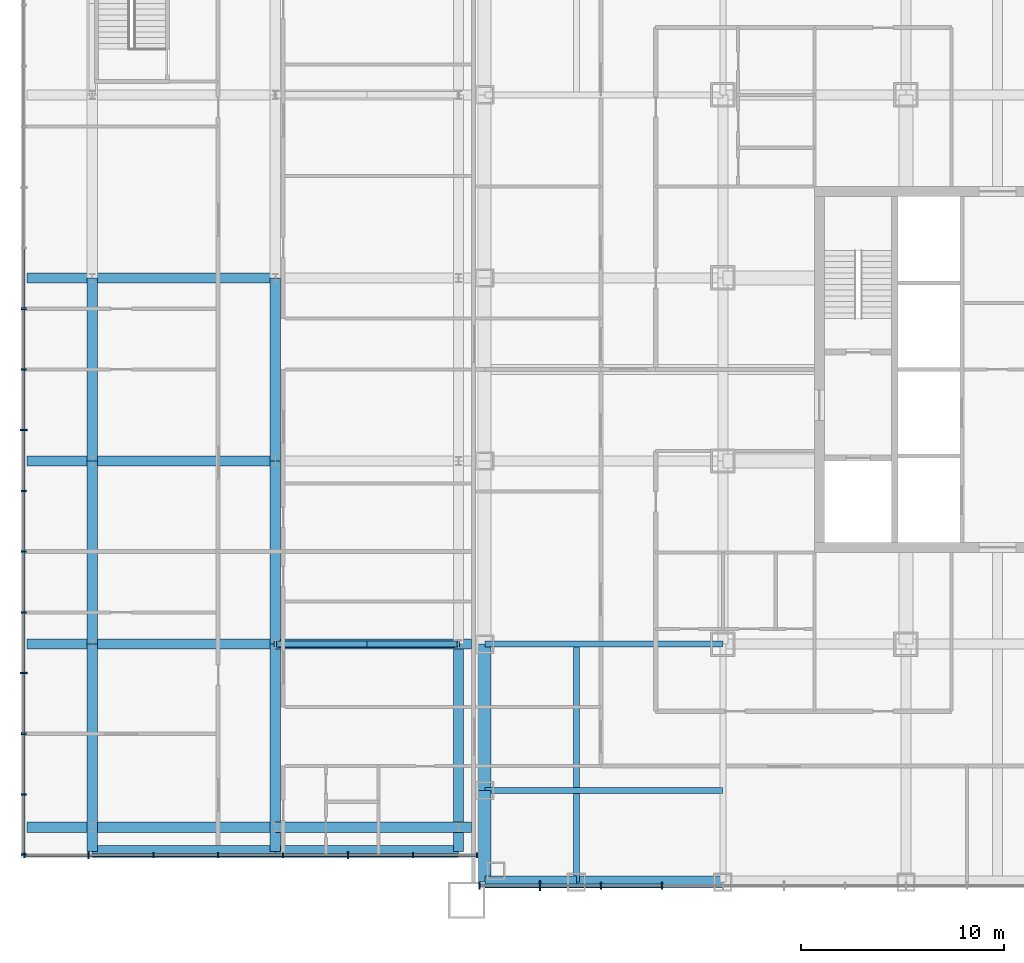
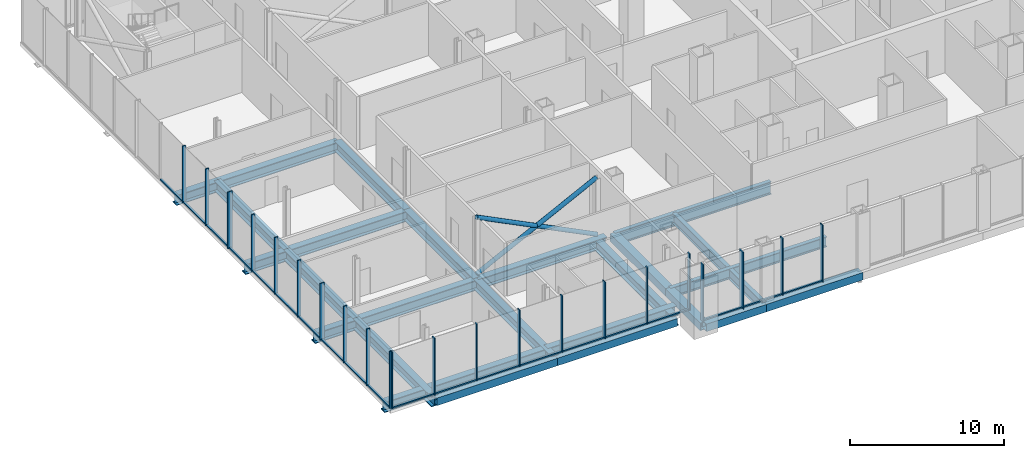
# One storey, part 5 of 25: 44 members, 22 beams, 3 elements without a shape of their own.
"""IFC4 building model written with IfcOpenShell, lengths in metres."""

from ifc_helpers import new_model, si_unit, direction, frame, origin, origin_2d, place, context, subcontext, project, spatial, rectangle, hollow_rectangle, hollow_circle, i_section, extrude, material, layer, layer_set, material_profile, profile_set, type_object, element, aggregate, save


model = new_model("IFC4")

# Units and contexts
model_context = context("Model", 3, precision=1e-05, world=origin(), true_north=direction((0.0, 1.0)))
body_context = subcontext(model_context, "Body", "Model", "MODEL_VIEW")
ifc_project = project(units=[si_unit("LENGTHUNIT", "METRE"), si_unit("AREAUNIT", "SQUARE_METRE"), si_unit("VOLUMEUNIT", "CUBIC_METRE"), si_unit("PLANEANGLEUNIT", "RADIAN"), si_unit("MASSUNIT", "GRAM", prefix="KILO")], contexts=[model_context])

# Site, building, storey
site_placement = place(None, origin())
site = spatial("IfcSite", under=ifc_project, at=site_placement, CompositionType="ELEMENT")
building_placement = place(site_placement, origin())
building = spatial("IfcBuilding", under=site, at=building_placement, Name="Malebo Sky Hospital", CompositionType="ELEMENT")
storey_placement = place(building_placement, frame((0.0, 0.0, 16.5)))
storey = spatial("IfcBuildingStorey", under=building, at=storey_placement, Name="L03", CompositionType="ELEMENT", Elevation=16.5)

# Curtain wall, members
ifc_material_1 = material(Name="Anodised aluminium, natural silver", Category="aluminium")
ifc_layer_1 = layer(ifc_material_1, 0.25)
ifc_layer_set_1 = layer_set([ifc_layer_1], Name="PODIUM CURTAIN WALL")
curtain_wall_type_1 = type_object("IfcCurtainWallType", Name="PODIUM CURTAIN WALL", PredefinedType="NOTDEFINED", material=ifc_layer_set_1)
curtain_wall_1_placement = place(storey_placement, origin())
curtain_wall_1 = element("IfcCurtainWall", 1, at=curtain_wall_1_placement, inside=storey, type_object=curtain_wall_type_1, Name="POD curtain wall WW", PredefinedType="NOTDEFINED")
ifc_material_profile_1 = material_profile(ifc_material_1, rectangle(XDim=0.14990234375, YDim=0.10009765625, at=origin_2d()), Name="ALUMINIUM TRANSOM 150x100")
ifc_profile_set_1 = profile_set([ifc_material_profile_1], Name="Anodised aluminium, natural silver")
member_type_1 = type_object("IfcMemberType", Name="ALUMINIUM TRANSOM 150x100", PredefinedType="USERDEFINED", material=ifc_profile_set_1)
member_1_placement = place(storey_placement, frame((12.125, 67.931396484375, 0.050048828125), z_axis=(0.0, -1.0, 0.0), x_axis=(1.0, 0.0, 0.0)))
member_1 = element("IfcMember", 2, at=member_1_placement, type_object=member_type_1, Name="Transom 7", ObjectType="TRANSOM", PredefinedType="USERDEFINED", context=body_context, shape_type="SweptSolid", body=[
    extrude(rectangle(XDim=0.14990234375, YDim=0.10009765625, at=origin_2d()), origin(), (0.0, 0.0, 1.0), 2.909423828125),
])
member_2_placement = place(storey_placement, frame((12.125, 64.947021484375, 0.050048828125), z_axis=(0.0, -1.0, 0.0), x_axis=(1.0, 0.0, 0.0)))
member_2 = element("IfcMember", 3, at=member_2_placement, type_object=member_type_1, Name="Transom 8", ObjectType="TRANSOM", PredefinedType="USERDEFINED", context=body_context, shape_type="SweptSolid", body=[
    extrude(rectangle(XDim=0.14990234375, YDim=0.10009765625, at=origin_2d()), origin(), (0.0, 0.0, 1.0), 2.909423828125),
])
member_3_placement = place(storey_placement, frame((12.125, 61.96240234375, 0.050048828125), z_axis=(0.0, -1.0, 0.0), x_axis=(1.0, 0.0, 0.0)))
member_3 = element("IfcMember", 4, at=member_3_placement, type_object=member_type_1, Name="Transom 9", ObjectType="TRANSOM", PredefinedType="USERDEFINED", context=body_context, shape_type="SweptSolid", body=[
    extrude(rectangle(XDim=0.14990234375, YDim=0.10009765625, at=origin_2d()), origin(), (0.0, 0.0, 1.0), 2.909423828125),
])
member_4_placement = place(storey_placement, frame((12.125, 58.97802734375, 0.050048828125), z_axis=(0.0, -1.0, 0.0), x_axis=(1.0, 0.0, 0.0)))
member_4 = element("IfcMember", 5, at=member_4_placement, type_object=member_type_1, Name="Transom 10", ObjectType="TRANSOM", PredefinedType="USERDEFINED", context=body_context, shape_type="SweptSolid", body=[
    extrude(rectangle(XDim=0.14990234375, YDim=0.10009765625, at=origin_2d()), origin(), (0.0, 0.0, 1.0), 2.909423828125),
])
member_5_placement = place(storey_placement, frame((12.125, 55.99365234375, 0.050048828125), z_axis=(0.0, -1.0, 0.0), x_axis=(1.0, 0.0, 0.0)))
member_5 = element("IfcMember", 6, at=member_5_placement, type_object=member_type_1, Name="Transom 11", ObjectType="TRANSOM", PredefinedType="USERDEFINED", context=body_context, shape_type="SweptSolid", body=[
    extrude(rectangle(XDim=0.14990234375, YDim=0.10009765625, at=origin_2d()), origin(), (0.0, 0.0, 1.0), 2.9091796875),
])
member_6_placement = place(storey_placement, frame((12.125, 53.009521484375, 0.050048828125), z_axis=(0.0, -1.0, 0.0), x_axis=(1.0, 0.0, 0.0)))
member_6 = element("IfcMember", 7, at=member_6_placement, type_object=member_type_1, Name="Transom 12", ObjectType="TRANSOM", PredefinedType="USERDEFINED", context=body_context, shape_type="SweptSolid", body=[
    extrude(rectangle(XDim=0.14990234375, YDim=0.10009765625, at=origin_2d()), origin(), (0.0, 0.0, 1.0), 2.909423828125),
])
member_7_placement = place(storey_placement, frame((12.125, 50.02490234375, 0.050048828125), z_axis=(0.0, -1.0, 0.0), x_axis=(1.0, 0.0, 0.0)))
member_7 = element("IfcMember", 8, at=member_7_placement, type_object=member_type_1, Name="Transom 13", ObjectType="TRANSOM", PredefinedType="USERDEFINED", context=body_context, shape_type="SweptSolid", body=[
    extrude(rectangle(XDim=0.14990234375, YDim=0.10009765625, at=origin_2d()), origin(), (0.0, 0.0, 1.0), 2.909423828125),
])
member_8_placement = place(storey_placement, frame((12.125, 47.04052734375, 0.050048828125), z_axis=(0.0, -1.0, 0.0), x_axis=(1.0, 0.0, 0.0)))
member_8 = element("IfcMember", 9, at=member_8_placement, type_object=member_type_1, Name="Transom 14", ObjectType="TRANSOM", PredefinedType="USERDEFINED", context=body_context, shape_type="SweptSolid", body=[
    extrude(rectangle(XDim=0.14990234375, YDim=0.10009765625, at=origin_2d()), origin(), (0.0, 0.0, 1.0), 2.9091796875),
])
member_9_placement = place(storey_placement, frame((12.125, 44.056396484375, 0.050048828125), z_axis=(0.0, -1.0, 0.0), x_axis=(1.0, 0.0, 0.0)))
member_9 = element("IfcMember", 10, at=member_9_placement, type_object=member_type_1, Name="Transom 15", ObjectType="TRANSOM", PredefinedType="USERDEFINED", context=body_context, shape_type="SweptSolid", body=[
    extrude(rectangle(XDim=0.14990234375, YDim=0.10009765625, at=origin_2d()), origin(), (0.0, 0.0, 1.0), 2.909423828125),
])
member_10_placement = place(storey_placement, frame((12.125, 41.072021484375, 0.050048828125), z_axis=(0.0, -1.0, 0.0), x_axis=(1.0, 0.0, 0.0)))
member_10 = element("IfcMember", 11, at=member_10_placement, type_object=member_type_1, Name="Transom 16", ObjectType="TRANSOM", PredefinedType="USERDEFINED", context=body_context, shape_type="SweptSolid", body=[
    extrude(rectangle(XDim=0.14990234375, YDim=0.10009765625, at=origin_2d()), origin(), (0.0, 0.0, 1.0), 2.8720703125),
])

curtain_wall_2_placement = place(storey_placement, origin())
curtain_wall_2 = element("IfcCurtainWall", 12, at=curtain_wall_2_placement, inside=storey, type_object=curtain_wall_type_1, Name="POD curtain wall WS", PredefinedType="NOTDEFINED")
member_11_placement = place(storey_placement, frame((12.199951171875, 38.125, 0.050048828125), z_axis=(1.0, 0.0, 0.0), x_axis=(0.0, 1.0, 0.0)))
member_11 = element("IfcMember", 13, at=member_11_placement, type_object=member_type_1, Name="Transom 1", ObjectType="TRANSOM", PredefinedType="USERDEFINED", context=body_context, shape_type="SweptSolid", body=[
    extrude(rectangle(XDim=0.14990234375, YDim=0.10009765625, at=origin_2d()), origin(), (0.0, 0.0, 1.0), 3.076904296875),
])
member_12_placement = place(storey_placement, frame((15.351806640625, 38.125, 0.050048828125), z_axis=(1.0, 0.0, 0.0), x_axis=(0.0, 1.0, 0.0)))
member_12 = element("IfcMember", 14, at=member_12_placement, type_object=member_type_1, Name="Transom 2", ObjectType="TRANSOM", PredefinedType="USERDEFINED", context=body_context, shape_type="SweptSolid", body=[
    extrude(rectangle(XDim=0.14990234375, YDim=0.10009765625, at=origin_2d()), origin(), (0.0, 0.0, 1.0), 3.1142578125),
])
member_13_placement = place(storey_placement, frame((18.541015625, 38.125, 0.050048828125), z_axis=(1.0, 0.0, 0.0), x_axis=(0.0, 1.0, 0.0)))
member_13 = element("IfcMember", 15, at=member_13_placement, type_object=member_type_1, Name="Transom 3", ObjectType="TRANSOM", PredefinedType="USERDEFINED", context=body_context, shape_type="SweptSolid", body=[
    extrude(rectangle(XDim=0.14990234375, YDim=0.10009765625, at=origin_2d()), origin(), (0.0, 0.0, 1.0), 3.114501953125),
])
member_14_placement = place(storey_placement, frame((21.73046875, 38.125, 0.050048828125), z_axis=(1.0, 0.0, 0.0), x_axis=(0.0, 1.0, 0.0)))
member_14 = element("IfcMember", 16, at=member_14_placement, type_object=member_type_1, Name="Transom 4", ObjectType="TRANSOM", PredefinedType="USERDEFINED", context=body_context, shape_type="SweptSolid", body=[
    extrude(rectangle(XDim=0.14990234375, YDim=0.10009765625, at=origin_2d()), origin(), (0.0, 0.0, 1.0), 3.114013671875),
])
member_15_placement = place(storey_placement, frame((24.919677734375, 38.125, 0.050048828125), z_axis=(1.0, 0.0, 0.0), x_axis=(0.0, 1.0, 0.0)))
member_15 = element("IfcMember", 17, at=member_15_placement, type_object=member_type_1, Name="Transom 5", ObjectType="TRANSOM", PredefinedType="USERDEFINED", context=body_context, shape_type="SweptSolid", body=[
    extrude(rectangle(XDim=0.14990234375, YDim=0.10009765625, at=origin_2d()), origin(), (0.0, 0.0, 1.0), 3.1142578125),
])
member_16_placement = place(storey_placement, frame((28.10888671875, 38.125, 0.050048828125), z_axis=(1.0, 0.0, 0.0), x_axis=(0.0, 1.0, 0.0)))
member_16 = element("IfcMember", 18, at=member_16_placement, type_object=member_type_1, Name="Transom 6", ObjectType="TRANSOM", PredefinedType="USERDEFINED", context=body_context, shape_type="SweptSolid", body=[
    extrude(rectangle(XDim=0.14990234375, YDim=0.10009765625, at=origin_2d()), origin(), (0.0, 0.0, 1.0), 3.1142578125),
])
member_17_placement = place(storey_placement, frame((31.298095703125, 38.125, 0.050048828125), z_axis=(1.0, 0.0, 0.0), x_axis=(0.0, 1.0, 0.0)))
member_17 = element("IfcMember", 19, at=member_17_placement, type_object=member_type_1, Name="Transom 7", ObjectType="TRANSOM", PredefinedType="USERDEFINED", context=body_context, shape_type="SweptSolid", body=[
    extrude(rectangle(XDim=0.14990234375, YDim=0.10009765625, at=origin_2d()), origin(), (0.0, 0.0, 1.0), 3.076904296875),
])

ifc_layer_2 = layer(ifc_material_1, 0.25)
ifc_layer_set_2 = layer_set([ifc_layer_2], Name="PODIUM ENTRANCE BAY CURTAIN WALL")
curtain_wall_type_2 = type_object("IfcCurtainWallType", Name="PODIUM ENTRANCE BAY CURTAIN WALL", PredefinedType="NOTDEFINED", material=ifc_layer_set_2)
curtain_wall_3_placement = place(storey_placement, origin())
curtain_wall_3 = element("IfcCurtainWall", 20, at=curtain_wall_3_placement, inside=storey, type_object=curtain_wall_type_2, Name="BAY curtain wall BS", PredefinedType="NOTDEFINED")
member_18_placement = place(storey_placement, frame((34.574951171875, 36.625, 0.050048828125), z_axis=(1.0, 0.0, 0.0), x_axis=(0.0, 1.0, 0.0)))
member_18 = element("IfcMember", 21, at=member_18_placement, type_object=member_type_1, Name="Transom 1", ObjectType="TRANSOM", PredefinedType="USERDEFINED", context=body_context, shape_type="SweptSolid", body=[
    extrude(rectangle(XDim=0.14990234375, YDim=0.10009765625, at=origin_2d()), origin(), (0.0, 0.0, 1.0), 2.887451171875),
])
member_19_placement = place(storey_placement, frame((37.53759765625, 36.625, 0.050048828125), z_axis=(1.0, 0.0, 0.0), x_axis=(0.0, 1.0, 0.0)))
member_19 = element("IfcMember", 22, at=member_19_placement, type_object=member_type_1, Name="Transom 2", ObjectType="TRANSOM", PredefinedType="USERDEFINED", context=body_context, shape_type="SweptSolid", body=[
    extrude(rectangle(XDim=0.14990234375, YDim=0.10009765625, at=origin_2d()), origin(), (0.0, 0.0, 1.0), 2.9248046875),
])
member_20_placement = place(storey_placement, frame((40.53759765625, 36.625, 0.050048828125), z_axis=(1.0, 0.0, 0.0), x_axis=(0.0, 1.0, 0.0)))
member_20 = element("IfcMember", 23, at=member_20_placement, type_object=member_type_1, Name="Transom 3", ObjectType="TRANSOM", PredefinedType="USERDEFINED", context=body_context, shape_type="SweptSolid", body=[
    extrude(rectangle(XDim=0.14990234375, YDim=0.10009765625, at=origin_2d()), origin(), (0.0, 0.0, 1.0), 2.9248046875),
])

# Member
ifc_material_profile_2 = material_profile(ifc_material_1, rectangle(XDim=0.074951171875, YDim=0.25, at=origin_2d()), Name="CW3 ALUMINIUM FIN MULLION 75x250")
ifc_profile_set_2 = profile_set([ifc_material_profile_2], Name="Anodised aluminium, natural silver")
member_type_2 = type_object("IfcMemberType", Name="CW3 ALUMINIUM FIN MULLION 75x250", PredefinedType="MULLION", material=ifc_profile_set_2)
member_21_placement = place(storey_placement, frame((12.125, 64.984375, 0.0), z_axis=(0.0, 0.0, 1.0), x_axis=(0.0, -1.0, 0.0)))
member_21 = element("IfcMember", 24, at=member_21_placement, type_object=member_type_2, Name="Fin mullion 8", PredefinedType="MULLION", context=body_context, shape_type="SweptSolid", body=[
    extrude(rectangle(XDim=0.074951171875, YDim=0.25, at=origin_2d()), origin(), (0.0, 0.0, 1.0), 4.5),
])

member_22_placement = place(storey_placement, frame((12.125, 62.0, 0.0), z_axis=(0.0, 0.0, 1.0), x_axis=(0.0, -1.0, 0.0)))
member_22 = element("IfcMember", 25, at=member_22_placement, type_object=member_type_2, Name="Fin mullion 9", PredefinedType="MULLION", context=body_context, shape_type="SweptSolid", body=[
    extrude(rectangle(XDim=0.074951171875, YDim=0.25, at=origin_2d()), origin(), (0.0, 0.0, 1.0), 4.5),
])

member_23_placement = place(storey_placement, frame((12.125, 56.03125, 0.0), z_axis=(0.0, 0.0, 1.0), x_axis=(0.0, -1.0, 0.0)))
member_23 = element("IfcMember", 26, at=member_23_placement, type_object=member_type_2, Name="Fin mullion 11", PredefinedType="MULLION", context=body_context, shape_type="SweptSolid", body=[
    extrude(rectangle(XDim=0.074951171875, YDim=0.25, at=origin_2d()), origin(), (0.0, 0.0, 1.0), 4.5),
])

member_24_placement = place(storey_placement, frame((12.125, 53.046875, 0.0), z_axis=(0.0, 0.0, 1.0), x_axis=(0.0, -1.0, 0.0)))
member_24 = element("IfcMember", 27, at=member_24_placement, type_object=member_type_2, Name="Fin mullion 12", PredefinedType="MULLION", context=body_context, shape_type="SweptSolid", body=[
    extrude(rectangle(XDim=0.074951171875, YDim=0.25, at=origin_2d()), origin(), (0.0, 0.0, 1.0), 4.5),
])

member_25_placement = place(storey_placement, frame((12.125, 50.0625, 0.0), z_axis=(0.0, 0.0, 1.0), x_axis=(0.0, -1.0, 0.0)))
member_25 = element("IfcMember", 28, at=member_25_placement, type_object=member_type_2, Name="Fin mullion 13", PredefinedType="MULLION", context=body_context, shape_type="SweptSolid", body=[
    extrude(rectangle(XDim=0.074951171875, YDim=0.25, at=origin_2d()), origin(), (0.0, 0.0, 1.0), 4.5),
])

member_26_placement = place(storey_placement, frame((12.125, 44.09375, 0.0), z_axis=(0.0, 0.0, 1.0), x_axis=(0.0, -1.0, 0.0)))
member_26 = element("IfcMember", 29, at=member_26_placement, type_object=member_type_2, Name="Fin mullion 15", PredefinedType="MULLION", context=body_context, shape_type="SweptSolid", body=[
    extrude(rectangle(XDim=0.074951171875, YDim=0.25, at=origin_2d()), origin(), (0.0, 0.0, 1.0), 4.5),
])

member_27_placement = place(storey_placement, frame((12.125, 41.109375, 0.0), z_axis=(0.0, 0.0, 1.0), x_axis=(0.0, -1.0, 0.0)))
member_27 = element("IfcMember", 30, at=member_27_placement, type_object=member_type_2, Name="Fin mullion 16", PredefinedType="MULLION", context=body_context, shape_type="SweptSolid", body=[
    extrude(rectangle(XDim=0.074951171875, YDim=0.25, at=origin_2d()), origin(), (0.0, 0.0, 1.0), 4.5),
])

member_28_placement = place(storey_placement, frame((12.125, 38.16259765625, 0.0), z_axis=(0.0, 0.0, 1.0), x_axis=(0.0, -1.0, 0.0)))
member_28 = element("IfcMember", 31, at=member_28_placement, type_object=member_type_2, Name="Fin mullion 17", PredefinedType="MULLION", context=body_context, shape_type="SweptSolid", body=[
    extrude(rectangle(XDim=0.074951171875, YDim=0.25, at=origin_2d()), origin(), (0.0, 0.0, 1.0), 4.5),
])

member_29_placement = place(storey_placement, frame((12.16259765625, 38.125, 0.0), z_axis=(0.0, 0.0, 1.0), x_axis=(1.0, 0.0, 0.0)))
member_29 = element("IfcMember", 32, at=member_29_placement, type_object=member_type_2, Name="Fin mullion 1", PredefinedType="MULLION", context=body_context, shape_type="SweptSolid", body=[
    extrude(rectangle(XDim=0.074951171875, YDim=0.25, at=origin_2d()), origin(), (0.0, 0.0, 1.0), 4.5),
])

member_30_placement = place(storey_placement, frame((18.503662109375, 38.125, 0.0), z_axis=(0.0, 0.0, 1.0), x_axis=(1.0, 0.0, 0.0)))
member_30 = element("IfcMember", 33, at=member_30_placement, type_object=member_type_2, Name="Fin mullion 3", PredefinedType="MULLION", context=body_context, shape_type="SweptSolid", body=[
    extrude(rectangle(XDim=0.074951171875, YDim=0.25, at=origin_2d()), origin(), (0.0, 0.0, 1.0), 4.5),
])

member_31_placement = place(storey_placement, frame((21.69287109375, 38.125, 0.0), z_axis=(0.0, 0.0, 1.0), x_axis=(1.0, 0.0, 0.0)))
member_31 = element("IfcMember", 34, at=member_31_placement, type_object=member_type_2, Name="Fin mullion 4", PredefinedType="MULLION", context=body_context, shape_type="SweptSolid", body=[
    extrude(rectangle(XDim=0.074951171875, YDim=0.25, at=origin_2d()), origin(), (0.0, 0.0, 1.0), 4.5),
])

member_32_placement = place(storey_placement, frame((24.882080078125, 38.125, 0.0), z_axis=(0.0, 0.0, 1.0), x_axis=(1.0, 0.0, 0.0)))
member_32 = element("IfcMember", 35, at=member_32_placement, type_object=member_type_2, Name="Fin mullion 5", PredefinedType="MULLION", context=body_context, shape_type="SweptSolid", body=[
    extrude(rectangle(XDim=0.074951171875, YDim=0.25, at=origin_2d()), origin(), (0.0, 0.0, 1.0), 4.5),
])

member_33_placement = place(storey_placement, frame((31.2607421875, 38.125, 0.0), z_axis=(0.0, 0.0, 1.0), x_axis=(1.0, 0.0, 0.0)))
member_33 = element("IfcMember", 36, at=member_33_placement, type_object=member_type_2, Name="Fin mullion 7", PredefinedType="MULLION", context=body_context, shape_type="SweptSolid", body=[
    extrude(rectangle(XDim=0.074951171875, YDim=0.25, at=origin_2d()), origin(), (0.0, 0.0, 1.0), 4.5),
])

member_34_placement = place(storey_placement, frame((34.41259765625, 38.125, 0.0), z_axis=(0.0, 0.0, 1.0), x_axis=(1.0, 0.0, 0.0)))
member_34 = element("IfcMember", 37, at=member_34_placement, type_object=member_type_2, Name="Fin mullion 8", PredefinedType="MULLION", context=body_context, shape_type="SweptSolid", body=[
    extrude(rectangle(XDim=0.074951171875, YDim=0.25, at=origin_2d()), origin(), (0.0, 0.0, 1.0), 4.5),
])

ifc_material_profile_3 = material_profile(ifc_material_1, rectangle(XDim=0.074951171875, YDim=0.35009765625, at=origin_2d()), Name="CW3 ALUMINIUM FIN MULLION 75x350")
ifc_profile_set_3 = profile_set([ifc_material_profile_3], Name="Anodised aluminium, natural silver")
member_type_3 = type_object("IfcMemberType", Name="CW3 ALUMINIUM FIN MULLION 75x350", PredefinedType="MULLION", material=ifc_profile_set_3)
member_35_placement = place(storey_placement, frame((12.125, 59.015625, 0.0), z_axis=(0.0, 0.0, 1.0), x_axis=(0.0, -1.0, 0.0)))
member_35 = element("IfcMember", 38, at=member_35_placement, type_object=member_type_3, Name="Fin mullion 10", PredefinedType="MULLION", context=body_context, shape_type="SweptSolid", body=[
    extrude(rectangle(XDim=0.074951171875, YDim=0.35009765625, at=origin_2d()), origin(), (0.0, 0.0, 1.0), 4.5),
])

member_36_placement = place(storey_placement, frame((12.125, 47.078125, 0.0), z_axis=(0.0, 0.0, 1.0), x_axis=(0.0, -1.0, 0.0)))
member_36 = element("IfcMember", 39, at=member_36_placement, type_object=member_type_3, Name="Fin mullion 14", PredefinedType="MULLION", context=body_context, shape_type="SweptSolid", body=[
    extrude(rectangle(XDim=0.074951171875, YDim=0.35009765625, at=origin_2d()), origin(), (0.0, 0.0, 1.0), 4.5),
])

aggregate(curtain_wall_1, [member_21, member_22, member_35, member_23, member_24, member_25, member_36, member_26, member_27, member_28, member_1, member_2, member_3, member_4, member_5, member_6, member_7, member_8, member_9, member_10])

member_37_placement = place(storey_placement, frame((15.314208984375, 38.125, 0.0), z_axis=(0.0, 0.0, 1.0), x_axis=(1.0, 0.0, 0.0)))
member_37 = element("IfcMember", 40, at=member_37_placement, type_object=member_type_3, Name="Fin mullion 2", PredefinedType="MULLION", context=body_context, shape_type="SweptSolid", body=[
    extrude(rectangle(XDim=0.074951171875, YDim=0.35009765625, at=origin_2d()), origin(), (0.0, 0.0, 1.0), 4.5),
])

member_38_placement = place(storey_placement, frame((28.0712890625, 38.125, 0.0), z_axis=(0.0, 0.0, 1.0), x_axis=(1.0, 0.0, 0.0)))
member_38 = element("IfcMember", 41, at=member_38_placement, type_object=member_type_3, Name="Fin mullion 6", PredefinedType="MULLION", context=body_context, shape_type="SweptSolid", body=[
    extrude(rectangle(XDim=0.074951171875, YDim=0.35009765625, at=origin_2d()), origin(), (0.0, 0.0, 1.0), 4.5),
])

aggregate(curtain_wall_2, [member_29, member_37, member_30, member_31, member_32, member_38, member_33, member_34, member_11, member_12, member_13, member_14, member_15, member_16, member_17])

ifc_material_profile_4 = material_profile(ifc_material_1, rectangle(XDim=0.074951171875, YDim=0.35009765625, at=origin_2d()), Name="CW4 ALUMINIUM FIN MULLION 75x350")
ifc_profile_set_4 = profile_set([ifc_material_profile_4], Name="Anodised aluminium, natural silver")
member_type_4 = type_object("IfcMemberType", Name="CW4 ALUMINIUM FIN MULLION 75x350", PredefinedType="MULLION", material=ifc_profile_set_4)
member_39_placement = place(storey_placement, frame((34.53759765625, 36.625, 0.0), z_axis=(0.0, 0.0, 1.0), x_axis=(1.0, 0.0, 0.0)))
member_39 = element("IfcMember", 42, at=member_39_placement, type_object=member_type_4, Name="Fin mullion 1", PredefinedType="MULLION", context=body_context, shape_type="SweptSolid", body=[
    extrude(rectangle(XDim=0.074951171875, YDim=0.35009765625, at=origin_2d()), origin(), (0.0, 0.0, 1.0), 4.5),
])

member_40_placement = place(storey_placement, frame((40.5, 36.625, 0.0), z_axis=(0.0, 0.0, 1.0), x_axis=(1.0, 0.0, 0.0)))
member_40 = element("IfcMember", 43, at=member_40_placement, type_object=member_type_4, Name="Fin mullion 3", PredefinedType="MULLION", context=body_context, shape_type="SweptSolid", body=[
    extrude(rectangle(XDim=0.074951171875, YDim=0.35009765625, at=origin_2d()), origin(), (0.0, 0.0, 1.0), 4.5),
])

member_41_placement = place(storey_placement, frame((43.5, 36.625, 0.0), z_axis=(0.0, 0.0, 1.0), x_axis=(1.0, 0.0, 0.0)))
member_41 = element("IfcMember", 44, at=member_41_placement, type_object=member_type_4, Name="Fin mullion 4", PredefinedType="MULLION", context=body_context, shape_type="SweptSolid", body=[
    extrude(rectangle(XDim=0.074951171875, YDim=0.35009765625, at=origin_2d()), origin(), (0.0, 0.0, 1.0), 4.5),
])

ifc_material_profile_5 = material_profile(ifc_material_1, rectangle(XDim=0.074951171875, YDim=0.5, at=origin_2d()), Name="CW4 ALUMINIUM FIN MULLION 75x500")
ifc_profile_set_5 = profile_set([ifc_material_profile_5], Name="Anodised aluminium, natural silver")
member_type_5 = type_object("IfcMemberType", Name="CW4 ALUMINIUM FIN MULLION 75x500", PredefinedType="MULLION", material=ifc_profile_set_5)
member_42_placement = place(storey_placement, frame((37.5, 36.625, 0.0), z_axis=(0.0, 0.0, 1.0), x_axis=(1.0, 0.0, 0.0)))
member_42 = element("IfcMember", 45, at=member_42_placement, type_object=member_type_5, Name="Fin mullion 2", PredefinedType="MULLION", context=body_context, shape_type="SweptSolid", body=[
    extrude(rectangle(XDim=0.074951171875, YDim=0.5, at=origin_2d()), origin(), (0.0, 0.0, 1.0), 4.5),
])

aggregate(curtain_wall_3, [member_39, member_42, member_40, member_41, member_18, member_19, member_20])

# Beams
ifc_material_2 = material(Name="Steel S460", Category="steel")
ifc_material_profile_6 = material_profile(ifc_material_2, hollow_rectangle(XDim=0.60009765625, YDim=0.60009765625, WallThickness=0.0400390625, at=origin_2d()), Name="BOX 600x600x40")
ifc_profile_set_6 = profile_set([ifc_material_profile_6], Name="Steel S460")
beam_type_1 = type_object("IfcBeamType", Name="EDGE BEAM BOX 600x600x40", PredefinedType="BEAM", material=ifc_profile_set_6)
beam_1_placement = place(storey_placement, frame((34.800048828125, 36.800048828125, -0.60009765625), z_axis=(0.0, 1.0, 0.0), x_axis=(-1.0, 0.0, 0.0)))
element("IfcBeam", 46, at=beam_1_placement, inside=storey, type_object=beam_type_1, Name="Beam 000 L03", PredefinedType="BEAM", context=body_context, shape_type="SweptSolid", body=[
    extrude(hollow_rectangle(XDim=0.60009765625, YDim=0.60009765625, WallThickness=0.0400390625, at=origin_2d()), origin(), (0.0, 0.0, 1.0), 4.5),
])
beam_2_placement = place(storey_placement, frame((34.800048828125, 41.300048828125, -0.60009765625), z_axis=(0.0, 1.0, 0.0), x_axis=(-1.0, 0.0, 0.0)))
element("IfcBeam", 47, at=beam_2_placement, inside=storey, type_object=beam_type_1, Name="Beam 001 L03", PredefinedType="BEAM", context=body_context, shape_type="SweptSolid", body=[
    extrude(hollow_rectangle(XDim=0.60009765625, YDim=0.60009765625, WallThickness=0.0400390625, at=origin_2d()), origin(), (0.0, 0.0, 1.0), 7.199951171875),
])
beam_3_placement = place(storey_placement, frame((34.800048828125, 36.800048828125, -0.60009765625), z_axis=(1.0, 0.0, 0.0), x_axis=(0.0, 1.0, 0.0)))
element("IfcBeam", 48, at=beam_3_placement, inside=storey, type_object=beam_type_1, Name="Beam 038 L03", PredefinedType="BEAM", context=body_context, shape_type="SweptSolid", body=[
    extrude(hollow_rectangle(XDim=0.60009765625, YDim=0.60009765625, WallThickness=0.0400390625, at=origin_2d()), origin(), (0.0, 0.0, 1.0), 4.5),
])
beam_4_placement = place(storey_placement, frame((39.300048828125, 36.800048828125, -0.60009765625), z_axis=(1.0, 0.0, 0.0), x_axis=(0.0, 1.0, 0.0)))
element("IfcBeam", 49, at=beam_4_placement, inside=storey, type_object=beam_type_1, Name="Beam 039 L03", PredefinedType="BEAM", context=body_context, shape_type="SweptSolid", body=[
    extrude(hollow_rectangle(XDim=0.60009765625, YDim=0.60009765625, WallThickness=0.0400390625, at=origin_2d()), origin(), (0.0, 0.0, 1.0), 7.199951171875),
])
for number, where, z_axis, x_axis, name in (
    (50, (15.5, 38.300048828125, -0.60009765625), (1.0, 0.0, 0.0), (0.0, 1.0, 0.0), "Beam W028 L03"),
    (51, (24.5, 38.300048828125, -0.60009765625), (1.0, 0.0, 0.0), (0.0, 1.0, 0.0), "Beam W029 L03"),
):
    element("IfcBeam", number, at=place(storey_placement, frame(where, z_axis=z_axis, x_axis=x_axis)), inside=storey, type_object=beam_type_1, Name=name, PredefinedType="BEAM", context=body_context, shape_type="SweptSolid", body=[
        extrude(hollow_rectangle(XDim=0.60009765625, YDim=0.60009765625, WallThickness=0.0400390625, at=origin_2d()), origin(), (0.0, 0.0, 1.0), 9.0),
    ])
ifc_material_3 = material(Name="Steel S355", Category="steel")
ifc_material_profile_7 = material_profile(ifc_material_3, i_section(OverallWidth=0.300048828125, OverallDepth=0.800048828125, WebThickness=0.017578125, FlangeThickness=0.032958984375, FilletRadius=0.030029296875, at=origin_2d()), Name="HEB 800")
ifc_profile_set_7 = profile_set([ifc_material_profile_7], Name="Steel S355")
beam_type_2 = type_object("IfcBeamType", Name="FLOOR BEAM HEB 800", PredefinedType="BEAM", material=ifc_profile_set_7)
for number, where, z_axis, x_axis, name in (
    (52, (39.300048828125, 36.800048828125, -0.699951171875), (0.0, 1.0, 0.0), (-1.0, 0.0, 0.0), "Beam 007 L03"),
    (53, (34.800048828125, 41.300048828125, -0.699951171875), (1.0, 0.0, 0.0), (0.0, 1.0, 0.0), "Beam 045 L03"),
):
    element("IfcBeam", number, at=place(storey_placement, frame(where, z_axis=z_axis, x_axis=x_axis)), inside=storey, type_object=beam_type_2, Name=name, PredefinedType="BEAM", context=body_context, shape_type="SweptSolid", body=[
        extrude(i_section(OverallWidth=0.300048828125, OverallDepth=0.800048828125, WebThickness=0.017578125, FlangeThickness=0.032958984375, FilletRadius=0.030029296875, at=origin_2d()), origin(), (0.0, 0.0, 1.0), 11.699951171875),
    ])
ifc_material_profile_8 = material_profile(ifc_material_3, i_section(OverallWidth=0.5, OverallDepth=0.800048828125, WebThickness=0.030029296875, FlangeThickness=0.050048828125, at=origin_2d()), Name="PG 800x500x30x50")
ifc_profile_set_8 = profile_set([ifc_material_profile_8], Name="Steel S355")
beam_type_3 = type_object("IfcBeamType", Name="FLOOR BEAM PG 800x500x30x50", PredefinedType="BEAM", material=ifc_profile_set_8)
beam_5_placement = place(storey_placement, frame((15.5, 38.300048828125, -0.699951171875), z_axis=(0.0, 1.0, 0.0), x_axis=(-1.0, 0.0, 0.0)))
element("IfcBeam", 54, at=beam_5_placement, inside=storey, type_object=beam_type_3, Name="Beam W001 L03", PredefinedType="BEAM", context=body_context, shape_type="SweptSolid", body=[
    extrude(i_section(OverallWidth=0.5, OverallDepth=0.800048828125, WebThickness=0.030029296875, FlangeThickness=0.050048828125, at=origin_2d()), origin(), (0.0, 0.0, 1.0), 10.199951171875),
])
for number, where, z_axis, x_axis, name in (
    (55, (15.5, 48.5, -0.699951171875), (0.0, 1.0, 0.0), (-1.0, 0.0, 0.0), "Beam W002 L03"),
    (56, (15.5, 57.5, -0.699951171875), (0.0, 1.0, 0.0), (-1.0, 0.0, 0.0), "Beam W003 L03"),
):
    element("IfcBeam", number, at=place(storey_placement, frame(where, z_axis=z_axis, x_axis=x_axis)), inside=storey, type_object=beam_type_3, Name=name, PredefinedType="BEAM", context=body_context, shape_type="SweptSolid", body=[
        extrude(i_section(OverallWidth=0.5, OverallDepth=0.800048828125, WebThickness=0.030029296875, FlangeThickness=0.050048828125, at=origin_2d()), origin(), (0.0, 0.0, 1.0), 9.0),
    ])
beam_6_placement = place(storey_placement, frame((24.5, 38.300048828125, -0.699951171875), z_axis=(0.0, 1.0, 0.0), x_axis=(-1.0, 0.0, 0.0)))
element("IfcBeam", 57, at=beam_6_placement, inside=storey, type_object=beam_type_3, Name="Beam W006 L03", PredefinedType="BEAM", context=body_context, shape_type="SweptSolid", body=[
    extrude(i_section(OverallWidth=0.5, OverallDepth=0.800048828125, WebThickness=0.030029296875, FlangeThickness=0.050048828125, at=origin_2d()), origin(), (0.0, 0.0, 1.0), 10.199951171875),
])
for number, where, z_axis, x_axis, name in (
    (58, (24.5, 48.5, -0.699951171875), (0.0, 1.0, 0.0), (-1.0, 0.0, 0.0), "Beam W007 L03"),
    (59, (24.5, 57.5, -0.699951171875), (0.0, 1.0, 0.0), (-1.0, 0.0, 0.0), "Beam W008 L03"),
):
    element("IfcBeam", number, at=place(storey_placement, frame(where, z_axis=z_axis, x_axis=x_axis)), inside=storey, type_object=beam_type_3, Name=name, PredefinedType="BEAM", context=body_context, shape_type="SweptSolid", body=[
        extrude(i_section(OverallWidth=0.5, OverallDepth=0.800048828125, WebThickness=0.030029296875, FlangeThickness=0.050048828125, at=origin_2d()), origin(), (0.0, 0.0, 1.0), 9.0),
    ])
beam_7_placement = place(storey_placement, frame((33.5, 38.300048828125, -0.699951171875), z_axis=(0.0, 1.0, 0.0), x_axis=(-1.0, 0.0, 0.0)))
element("IfcBeam", 60, at=beam_7_placement, inside=storey, type_object=beam_type_3, Name="Beam W011 L03", PredefinedType="BEAM", context=body_context, shape_type="SweptSolid", body=[
    extrude(i_section(OverallWidth=0.5, OverallDepth=0.800048828125, WebThickness=0.030029296875, FlangeThickness=0.050048828125, at=origin_2d()), origin(), (0.0, 0.0, 1.0), 10.199951171875),
])
beam_8_placement = place(storey_placement, frame((12.300048828125, 39.5, -0.699951171875), z_axis=(1.0, 0.0, 0.0), x_axis=(0.0, 1.0, 0.0)))
element("IfcBeam", 61, at=beam_8_placement, inside=storey, type_object=beam_type_3, Name="Beam W016 L03", PredefinedType="BEAM", context=body_context, shape_type="SweptSolid", body=[
    extrude(i_section(OverallWidth=0.5, OverallDepth=0.800048828125, WebThickness=0.030029296875, FlangeThickness=0.050048828125, at=origin_2d()), origin(), (0.0, 0.0, 1.0), 12.199951171875),
])
beam_9_placement = place(storey_placement, frame((24.5, 39.5, -0.699951171875), z_axis=(1.0, 0.0, 0.0), x_axis=(0.0, 1.0, 0.0)))
element("IfcBeam", 62, at=beam_9_placement, inside=storey, type_object=beam_type_3, Name="Beam W017 L03", PredefinedType="BEAM", context=body_context, shape_type="SweptSolid", body=[
    extrude(i_section(OverallWidth=0.5, OverallDepth=0.800048828125, WebThickness=0.030029296875, FlangeThickness=0.050048828125, at=origin_2d()), origin(), (0.0, 0.0, 1.0), 9.64990234375),
])
beam_10_placement = place(storey_placement, frame((12.300048828125, 48.5, -0.699951171875), z_axis=(1.0, 0.0, 0.0), x_axis=(0.0, 1.0, 0.0)))
element("IfcBeam", 63, at=beam_10_placement, inside=storey, type_object=beam_type_3, Name="Beam W018 L03", PredefinedType="BEAM", context=body_context, shape_type="SweptSolid", body=[
    extrude(i_section(OverallWidth=0.5, OverallDepth=0.800048828125, WebThickness=0.030029296875, FlangeThickness=0.050048828125, at=origin_2d()), origin(), (0.0, 0.0, 1.0), 12.199951171875),
])
beam_11_placement = place(storey_placement, frame((24.5, 48.5, -0.699951171875), z_axis=(1.0, 0.0, 0.0), x_axis=(0.0, 1.0, 0.0)))
element("IfcBeam", 64, at=beam_11_placement, inside=storey, type_object=beam_type_3, Name="Beam W019 L03", PredefinedType="BEAM", context=body_context, shape_type="SweptSolid", body=[
    extrude(i_section(OverallWidth=0.5, OverallDepth=0.800048828125, WebThickness=0.030029296875, FlangeThickness=0.050048828125, at=origin_2d()), origin(), (0.0, 0.0, 1.0), 9.64990234375),
])
for number, where, z_axis, x_axis, name in (
    (65, (12.300048828125, 57.5, -0.699951171875), (1.0, 0.0, 0.0), (0.0, 1.0, 0.0), "Beam W020 L03"),
    (66, (12.300048828125, 66.5, -0.699951171875), (1.0, 0.0, 0.0), (0.0, 1.0, 0.0), "Beam W022 L03"),
):
    element("IfcBeam", number, at=place(storey_placement, frame(where, z_axis=z_axis, x_axis=x_axis)), inside=storey, type_object=beam_type_3, Name=name, PredefinedType="BEAM", context=body_context, shape_type="SweptSolid", body=[
        extrude(i_section(OverallWidth=0.5, OverallDepth=0.800048828125, WebThickness=0.030029296875, FlangeThickness=0.050048828125, at=origin_2d()), origin(), (0.0, 0.0, 1.0), 12.199951171875),
    ])
ifc_material_profile_9 = material_profile(ifc_material_3, i_section(OverallWidth=0.300048828125, OverallDepth=1.0, WebThickness=0.01904296875, FlangeThickness=0.035888671875, FilletRadius=0.030029296875, at=origin_2d()), Name="HEB 1000")
ifc_profile_set_9 = profile_set([ifc_material_profile_9], Name="Steel S355")
beam_type_4 = type_object("IfcBeamType", Name="FLOOR GIRDER HEB 1000", PredefinedType="BEAM", material=ifc_profile_set_9)
beam_12_placement = place(storey_placement, frame((34.800048828125, 48.5, -0.800048828125), z_axis=(1.0, 0.0, 0.0), x_axis=(0.0, 1.0, 0.0)))
element("IfcBeam", 67, at=beam_12_placement, inside=storey, type_object=beam_type_4, Name="Beam 047 L03", PredefinedType="BEAM", context=body_context, shape_type="SweptSolid", body=[
    extrude(i_section(OverallWidth=0.300048828125, OverallDepth=1.0, WebThickness=0.01904296875, FlangeThickness=0.035888671875, FilletRadius=0.030029296875, at=origin_2d()), origin(), (0.0, 0.0, 1.0), 11.699951171875),
])

# Members
ifc_material_profile_10 = material_profile(ifc_material_2, hollow_circle(Radius=0.161865234375, WallThickness=0.012451171875, at=origin_2d()), Name="CHS 323.9x12.5")
ifc_profile_set_10 = profile_set([ifc_material_profile_10], Name="Steel S460")
member_type_6 = type_object("IfcMemberType", Name="WING BRACE CHS 323.9x12.5", PredefinedType="BRACE", material=ifc_profile_set_10)
for number, where, z_axis, x_axis, name in (
    (68, (24.5, 48.5, 0.0), (0.894427191, 0.0, 0.4472135955), (0.0, 1.0, 0.0), "Wing brace W2.1 L03"),
    (69, (33.5, 48.5, 0.0), (-0.894427191, 0.0, 0.4472135955), (0.0, -1.0, 0.0), "Wing brace W2.2 L03"),
):
    element("IfcMember", number, at=place(storey_placement, frame(where, z_axis=z_axis, x_axis=x_axis)), inside=storey, type_object=member_type_6, Name=name, PredefinedType="BRACE", context=body_context, shape_type="SweptSolid", body=[
        extrude(hollow_circle(Radius=0.161865234375, WallThickness=0.012451171875, at=origin_2d()), origin(), (0.0, 0.0, 1.0), 10.062255859375),
    ])

save(model, "model.ifc")
